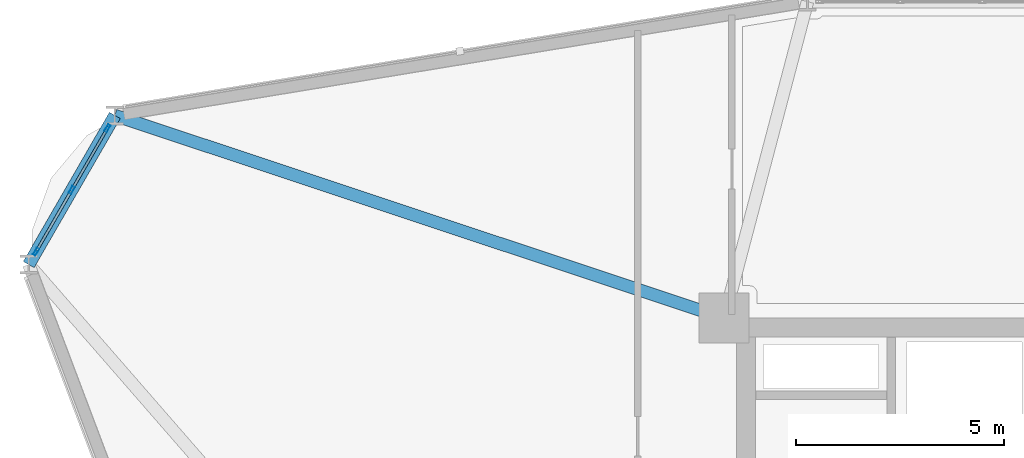
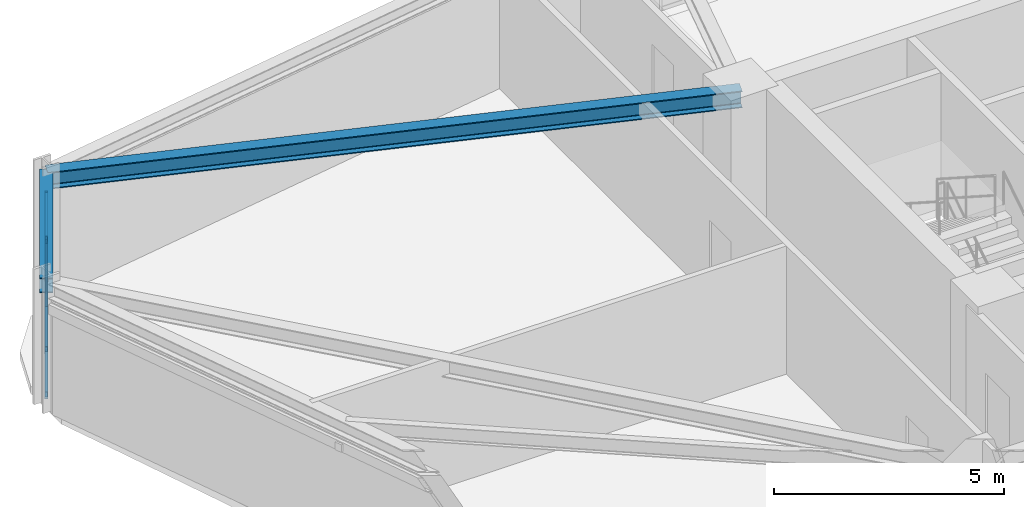
# One storey, part 9 of 23: 8 members, 2 beams, 1 element without a shape of its own.
"""IFC4 building model written with IfcOpenShell, lengths in metres."""

from ifc_helpers import new_model, si_unit, derived_unit, direction, frame, origin, origin_2d, place, context, subcontext, project, spatial, hollow_rectangle, i_section, extrude, source, transform, mapped, material, layer, layer_set, material_profile, profile_set, type_object, element, aggregate, save


model = new_model("IFC4")

# Units and contexts
model_context = context("Model", 3, precision=1e-05, world=origin(), true_north=direction((0.0, 1.0)))
body_context = subcontext(model_context, "Body", "Model", "MODEL_VIEW")
ifc_project = project(units=[si_unit("LENGTHUNIT", "METRE"), si_unit("AREAUNIT", "SQUARE_METRE"), si_unit("VOLUMEUNIT", "CUBIC_METRE"), si_unit("PLANEANGLEUNIT", "RADIAN"), si_unit("MASSUNIT", "GRAM", prefix="KILO"), derived_unit("THERMALTRANSMITTANCEUNIT", [(si_unit("POWERUNIT", "WATT"), 1), (si_unit("LENGTHUNIT", "METRE"), -2), (si_unit("THERMODYNAMICTEMPERATUREUNIT", "KELVIN"), -1)])], contexts=[model_context])

# Site, building, storey
site_placement = place(None, origin())
site = spatial("IfcSite", under=ifc_project, at=site_placement, CompositionType="ELEMENT")
building_placement = place(site_placement, origin())
building = spatial("IfcBuilding", under=site, at=building_placement, Name="Korsvarv Bourse and Concert Hall", CompositionType="ELEMENT")
storey_placement = place(building_placement, frame((0.0, 0.0, 99.0)))
storey = spatial("IfcBuildingStorey", under=building, at=storey_placement, Name="L24", CompositionType="ELEMENT", Elevation=99.0)

# Beams
ifc_material_1 = material(Name="Steel S355", Category="steel")
ifc_material_profile_1 = material_profile(ifc_material_1, i_section(OverallWidth=0.300048828125, OverallDepth=0.39990234375, WebThickness=0.013427734375, FlangeThickness=0.02392578125, FilletRadius=0.02099609375, at=origin_2d()), Name="HEB 400")
ifc_profile_set_1 = profile_set([ifc_material_profile_1], Name="Steel S355")
beam_type_1 = type_object("IfcBeamType", Name="BM-HEB400", PredefinedType="SPANDREL", material=ifc_profile_set_1)
shared_shape_1 = source(origin(), body_context, "Body", "SweptSolid", [
    extrude(i_section(OverallWidth=0.300048828125, OverallDepth=0.39990234375, WebThickness=0.013427734375, FlangeThickness=0.02392578125, FilletRadius=0.02099609375, at=origin_2d()), origin(), (0.0, 0.0, 1.0), 4.136962890625),
])
beam_1_placement = place(storey_placement, frame((12.21728515625, 52.119384765625, 3.199951171875), z_axis=(-0.500042586076, -0.866000815306, 0.0), x_axis=(0.866000815306, -0.500042586076, 0.0)))
element("IfcBeam", 1, at=beam_1_placement, inside=storey, type_object=beam_type_1, Name="L24 beam B-09", PredefinedType="SPANDREL", context=body_context, shape_type="MappedRepresentation", body=[
    mapped(shared_shape_1, transform((0.0, 0.0, 0.0), scale=1.0)),
])
ifc_material_profile_2 = material_profile(ifc_material_1, i_section(OverallWidth=0.300048828125, OverallDepth=0.449951171875, WebThickness=0.013916015625, FlangeThickness=0.02587890625, FilletRadius=0.02099609375, at=origin_2d()), Name="HEB 450")
ifc_profile_set_2 = profile_set([ifc_material_profile_2], Name="Steel S355")
beam_type_2 = type_object("IfcBeamType", Name="BM-HEB450", PredefinedType="SPANDREL", material=ifc_profile_set_2)
shared_shape_2 = source(origin(), body_context, "Body", "SweptSolid", [
    extrude(i_section(OverallWidth=0.300048828125, OverallDepth=0.449951171875, WebThickness=0.013916015625, FlangeThickness=0.02587890625, FilletRadius=0.02099609375, at=origin_2d()), origin(), (0.0, 0.0, 1.0), 15.421630859375),
])
beam_2_placement = place(storey_placement, frame((12.21728515625, 52.119384765625, 3.175048828125), z_axis=(0.948843069251, -0.315748048188, 0.0), x_axis=(0.315748048188, 0.948843069251, 0.0)))
element("IfcBeam", 2, at=beam_2_placement, inside=storey, type_object=beam_type_2, Name="L24 beam B-08", PredefinedType="SPANDREL", context=body_context, shape_type="MappedRepresentation", body=[
    mapped(shared_shape_2, transform((0.0, 0.0, 0.0), scale=1.0)),
])

# Curtain wall, members
ifc_material_2 = material(Name="Anodised aluminium and triple low-E glazing", Category="glass")
ifc_layer = layer(ifc_material_2, 0.2099609375)
ifc_layer_set = layer_set([ifc_layer], Name="Anodised aluminium and triple low-E glazing")
curtain_wall_type = type_object("IfcCurtainWallType", Name="CW-SYS-2", PredefinedType="NOTDEFINED", material=ifc_layer_set)
curtain_wall_placement = place(storey_placement, origin())
curtain_wall = element("IfcCurtainWall", 3, at=curtain_wall_placement, inside=storey, type_object=curtain_wall_type, Name="L24 CW2 curtain wall CW-L24-F05", PredefinedType="NOTDEFINED")
ifc_material_3 = material(Name="Extruded aluminium EN AW-6063 T66", Category="aluminium")
ifc_material_profile_3 = material_profile(ifc_material_3, hollow_rectangle(XDim=0.070068359375, YDim=0.18994140625, WallThickness=0.0048828125, at=origin_2d()), Name="ALU-M 70x190")
ifc_profile_set_3 = profile_set([ifc_material_profile_3], Name="Extruded aluminium EN AW-6063 T66")
member_type_1 = type_object("IfcMemberType", Name="CWM-190", PredefinedType="MULLION", material=ifc_profile_set_3)
shared_shape_3 = source(origin(), body_context, "Body", "SweptSolid", [
    extrude(hollow_rectangle(XDim=0.070068359375, YDim=0.18994140625, WallThickness=0.0048828125, at=origin_2d()), origin(), (0.0, 0.0, 1.0), 3.0),
])
member_1_placement = place(storey_placement, frame((12.03955078125, 51.8115234375, 0.0), z_axis=(0.0, 0.0, 1.0), x_axis=(0.866023629477, -0.500003073178, 0.0)))
member_1 = element("IfcMember", 4, at=member_1_placement, type_object=member_type_1, Name="CW2 mullion 1", PredefinedType="MULLION", context=body_context, shape_type="MappedRepresentation", body=[
    mapped(shared_shape_3, transform((0.0, 0.0, 0.0), scale=1.0)),
])
member_2_placement = place(storey_placement, frame((11.18310546875, 50.328125, 0.0), z_axis=(0.0, 0.0, 1.0), x_axis=(0.866023629477, -0.500003073178, 0.0)))
member_2 = element("IfcMember", 5, at=member_2_placement, type_object=member_type_1, Name="CW2 mullion 2", PredefinedType="MULLION", context=body_context, shape_type="MappedRepresentation", body=[
    mapped(shared_shape_3, transform((0.0, 0.0, 0.0), scale=1.0)),
])
member_3_placement = place(storey_placement, frame((10.326416015625, 48.8447265625, 0.0), z_axis=(0.0, 0.0, 1.0), x_axis=(0.866023629477, -0.500003073178, 0.0)))
member_3 = element("IfcMember", 6, at=member_3_placement, type_object=member_type_1, Name="CW2 mullion 3", PredefinedType="MULLION", context=body_context, shape_type="MappedRepresentation", body=[
    mapped(shared_shape_3, transform((0.0, 0.0, 0.0), scale=1.0)),
])
ifc_material_profile_4 = material_profile(ifc_material_3, hollow_rectangle(XDim=0.06494140625, YDim=0.139892578125, WallThickness=0.00390625, at=origin_2d()), Name="ALU-T 65x140")
ifc_profile_set_4 = profile_set([ifc_material_profile_4], Name="Extruded aluminium EN AW-6063 T66")
member_type_2 = type_object("IfcMemberType", Name="CWT-140", PredefinedType="USERDEFINED", material=ifc_profile_set_4)
shared_shape_4 = source(origin(), body_context, "Body", "SweptSolid", [
    extrude(hollow_rectangle(XDim=0.06494140625, YDim=0.139892578125, WallThickness=0.00390625, at=origin_2d()), origin(), (0.0, 0.0, 1.0), 1.64306640625),
])
member_4_placement = place(storey_placement, frame((12.02197265625, 51.78125, 0.032470703125), z_axis=(-0.500022582332, -0.866012365477, 0.0), x_axis=(0.866012365477, -0.500022582332, 0.0)))
member_4 = element("IfcMember", 7, at=member_4_placement, type_object=member_type_2, Name="CW2 transom 1.1", ObjectType="TRANSOM", PredefinedType="USERDEFINED", context=body_context, shape_type="MappedRepresentation", body=[
    mapped(shared_shape_4, transform((0.0, 0.0, 0.0), scale=1.0)),
])
member_5_placement = place(storey_placement, frame((12.02197265625, 51.78125, 2.967529296875), z_axis=(-0.500022582332, -0.866012365477, 0.0), x_axis=(0.866012365477, -0.500022582332, 0.0)))
member_5 = element("IfcMember", 8, at=member_5_placement, type_object=member_type_2, Name="CW2 transom 1.2", ObjectType="TRANSOM", PredefinedType="USERDEFINED", context=body_context, shape_type="MappedRepresentation", body=[
    mapped(shared_shape_4, transform((0.0, 0.0, 0.0), scale=1.0)),
])
member_6_placement = place(storey_placement, frame((11.16552734375, 50.2978515625, 0.032470703125), z_axis=(-0.500022582332, -0.866012365477, 0.0), x_axis=(0.866012365477, -0.500022582332, 0.0)))
member_6 = element("IfcMember", 9, at=member_6_placement, type_object=member_type_2, Name="CW2 transom 2.1", ObjectType="TRANSOM", PredefinedType="USERDEFINED", context=body_context, shape_type="MappedRepresentation", body=[
    mapped(shared_shape_4, transform((0.0, 0.0, 0.0), scale=1.0)),
])
member_7_placement = place(storey_placement, frame((11.16552734375, 50.2978515625, 2.967529296875), z_axis=(-0.500022582332, -0.866012365477, 0.0), x_axis=(0.866012365477, -0.500022582332, 0.0)))
member_7 = element("IfcMember", 10, at=member_7_placement, type_object=member_type_2, Name="CW2 transom 2.2", ObjectType="TRANSOM", PredefinedType="USERDEFINED", context=body_context, shape_type="MappedRepresentation", body=[
    mapped(shared_shape_4, transform((0.0, 0.0, 0.0), scale=1.0)),
])
ifc_material_profile_5 = material_profile(ifc_material_3, hollow_rectangle(XDim=0.06494140625, YDim=0.1650390625, WallThickness=0.0048828125, at=origin_2d()), Name="ALU-M 65x165")
ifc_profile_set_5 = profile_set([ifc_material_profile_5], Name="Extruded aluminium EN AW-6063 T66")
member_type_3 = type_object("IfcMemberType", Name="CWM-165", PredefinedType="MULLION", material=ifc_profile_set_5)
shared_shape_5 = source(origin(), body_context, "Body", "SweptSolid", [
    extrude(hollow_rectangle(XDim=0.06494140625, YDim=0.1650390625, WallThickness=0.0048828125, at=origin_2d()), origin(), (0.0, 0.0, 1.0), 3.30712890625),
])
member_8_placement = place(storey_placement, frame((12.02197265625, 51.78125, 0.06494140625), z_axis=(-0.248414014383, -0.430239784791, 0.867861858271), x_axis=(0.866012365477, -0.500022582332, 0.0)))
member_8 = element("IfcMember", 11, at=member_8_placement, type_object=member_type_3, Name="CW2 diagonal mullion 1", PredefinedType="MULLION", context=body_context, shape_type="MappedRepresentation", body=[
    mapped(shared_shape_5, transform((0.0, 0.0, 0.0), scale=1.0)),
])
aggregate(curtain_wall, [member_1, member_2, member_3, member_4, member_5, member_8, member_6, member_7])

save(model, "model.ifc")
